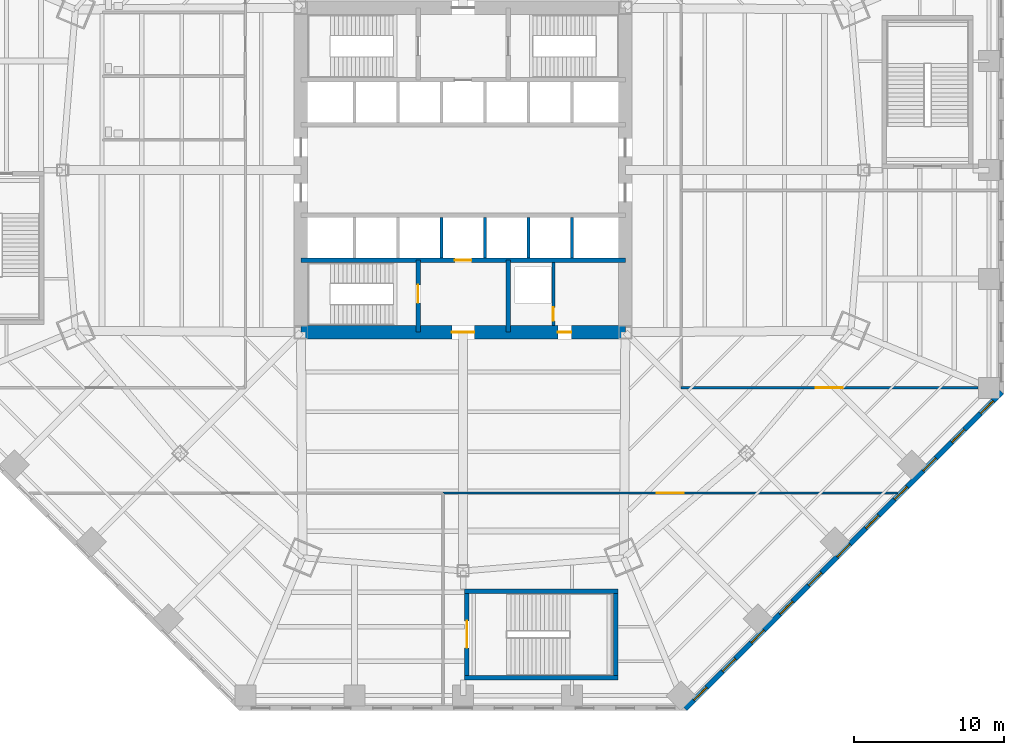
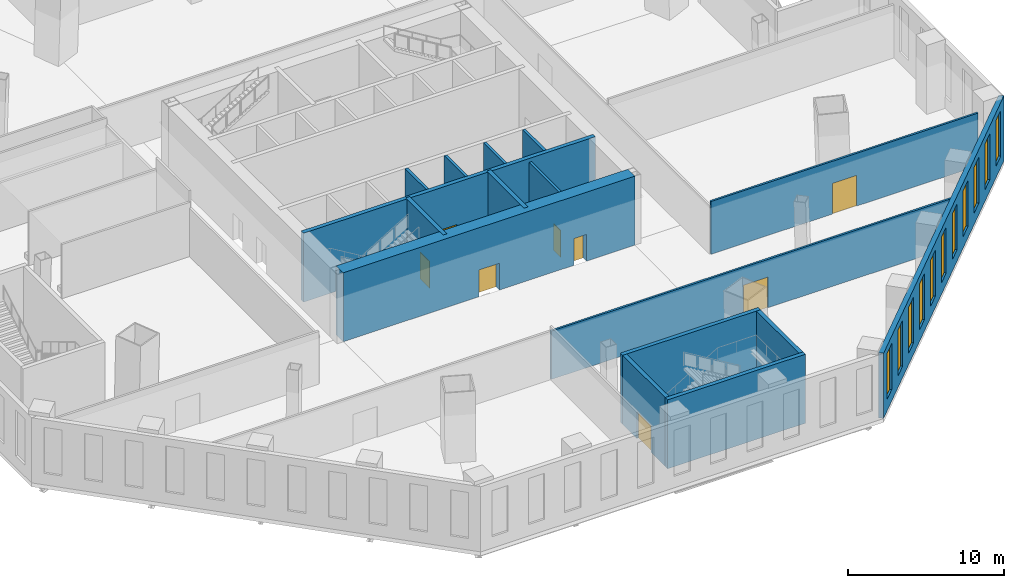
# One storey, part 9 of 18: 16 walls, 11 windows, 8 doors, 19 openings.
"""IFC4 building model written with IfcOpenShell, lengths in metres."""

from ifc_helpers import new_model, si_unit, direction, frame, frame_2d, origin, place, context, subcontext, project, spatial, rectangle, extrude, material, layer, layer_set, type_object, element, fill, save


model = new_model("IFC4")

# Units and contexts
model_context = context("Model", 3, precision=1e-05, world=origin(), true_north=direction((0.0, 1.0)))
body_context = subcontext(model_context, "Body", "Model", "MODEL_VIEW")
ifc_project = project(units=[si_unit("LENGTHUNIT", "METRE"), si_unit("AREAUNIT", "SQUARE_METRE"), si_unit("VOLUMEUNIT", "CUBIC_METRE"), si_unit("PLANEANGLEUNIT", "RADIAN"), si_unit("MASSUNIT", "GRAM", prefix="KILO")], contexts=[model_context])

# Site, building, storey
site_placement = place(None, origin())
site = spatial("IfcSite", under=ifc_project, at=site_placement, CompositionType="ELEMENT")
building_placement = place(site_placement, origin())
building = spatial("IfcBuilding", under=site, at=building_placement, Name="Mashrafa Tower", CompositionType="ELEMENT")
storey_placement = place(building_placement, frame((0.0, 0.0, 18.60009765625)))
storey = spatial("IfcBuildingStorey", under=building, at=storey_placement, Name="L03", CompositionType="ELEMENT", Elevation=18.60009765625)

# Wall, opening, door
ifc_material_1 = material(Name="Concrete masonry unit", Category="masonry")
ifc_layer_1 = layer(ifc_material_1, 0.199951171875)
ifc_layer_set_1 = layer_set([ifc_layer_1], Name="Blockwork wall 200 2 hr")
wall_type_1 = type_object("IfcWallType", Name="Blockwork wall 200 2 hr", PredefinedType="PARTITIONING", material=ifc_layer_set_1)
wall_1_placement = place(storey_placement, frame((6.0, -10.35009765625, 0.0), z_axis=(0.0, 0.0, 1.0), x_axis=(0.0, 1.0, 0.0)))
wall_1 = element("IfcWall", 1, at=wall_1_placement, inside=storey, type_object=wall_type_1, Name="Riser enclosure wall L03", PredefinedType="PARTITIONING", context=body_context, shape_type="SweptSolid", body=[
    extrude(rectangle(XDim=4.2001953125, YDim=0.199951171875, at=frame_2d((2.10009765625, 0.0))), origin(), (0.0, 0.0, 1.0), 5.099853515625),
])
opening_1_placement = place(wall_1_placement, frame((0.300048828125, 0.0, 0.0)))
opening_1 = element("IfcOpeningElement", 2, at=opening_1_placement, cuts=wall_1, Name="Opening 03.023", PredefinedType="OPENING", context=body_context, shape_type="SweptSolid", body=[
    extrude(rectangle(XDim=0.89990234375, YDim=2.10009765625, at=frame_2d((0.449951171875, 1.050048828125))), frame((0.0, 0.10986328125, 0.0), z_axis=(0.0, -1.0, 0.0), x_axis=(1.0, 0.0, 0.0)), (0.0, 0.0, 1.0), 0.219970703125),
])
ifc_material_2 = material(Name="Steel door", Category="steel")
door_type_1 = type_object("IfcDoorType", Name="Service door 900 x 2100 90 min", OperationType="USERDEFINED", PredefinedType="DOOR", material=ifc_material_2)
door_1_placement = place(opening_1_placement, origin())
door_1 = element("IfcDoor", 3, at=door_1_placement, inside=storey, type_object=door_type_1, Name="Riser door L03", OperationType="SINGLE_SWING_LEFT", OverallHeight=2.10009765625, OverallWidth=0.89990234375, PredefinedType="DOOR", context=body_context, shape_type="SweptSolid", body=[
    extrude(rectangle(XDim=0.89990234375, YDim=2.10009765625, at=frame_2d((0.449951171875, 1.050048828125))), frame((0.0, 0.02490234375, 0.0), z_axis=(0.0, -1.0, 0.0), x_axis=(1.0, 0.0, 0.0)), (0.0, 0.0, 1.0), 0.050048828125),
])
fill(opening_1, door_1)

ifc_material_3 = material(Name="Concrete C60/75", Category="concrete")
ifc_layer_2 = layer(ifc_material_3, 0.300048828125)
ifc_layer_set_2 = layer_set([ifc_layer_2], Name="Core wall 300 C60/75")
wall_type_2 = type_object("IfcWallType", Name="Core wall 300 C60/75", PredefinedType="SOLIDWALL", material=ifc_layer_set_2)
wall_2_placement = place(storey_placement, frame((-10.800048828125, -6.0, 0.0), z_axis=(0.0, 0.0, 1.0), x_axis=(1.0, 0.0, 0.0)))
wall_2 = element("IfcWall", 4, at=wall_2_placement, inside=storey, type_object=wall_type_2, Name="Core wall CB-S L03", PredefinedType="SOLIDWALL", context=body_context, shape_type="SweptSolid", body=[
    extrude(rectangle(XDim=21.60009765625, YDim=0.300048828125, at=frame_2d((10.800048828125, 0.0))), origin(), (0.0, 0.0, 1.0), 5.39990234375),
])
opening_2_placement = place(wall_2_placement, frame((10.25, 0.0, 0.0)))
opening_2 = element("IfcOpeningElement", 5, at=opening_2_placement, cuts=wall_2, Name="Opening 03.F2", PredefinedType="OPENING", context=body_context, shape_type="SweptSolid", body=[
    extrude(rectangle(XDim=1.10009765625, YDim=2.10009765625, at=frame_2d((0.550048828125, 1.050048828125))), frame((0.0, 0.159912109375, 0.0), z_axis=(0.0, -1.0, 0.0), x_axis=(1.0, 0.0, 0.0)), (0.0, 0.0, 1.0), 0.320068359375),
])
ifc_material_4 = material(Name="Steel door", Category="steel")
door_type_2 = type_object("IfcDoorType", Name="Lift landing door 1100 x 2100 90 min", OperationType="DOUBLE_DOOR_SLIDING", PredefinedType="DOOR", material=ifc_material_4)
door_2_placement = place(opening_2_placement, origin())
door_2 = element("IfcDoor", 6, at=door_2_placement, inside=storey, type_object=door_type_2, Name="Lift landing door F2 L03", OperationType="DOUBLE_DOOR_SLIDING", OverallHeight=2.10009765625, OverallWidth=1.10009765625, PredefinedType="DOOR", context=body_context, shape_type="SweptSolid", body=[
    extrude(rectangle(XDim=1.10009765625, YDim=2.10009765625, at=frame_2d((0.550048828125, 1.050048828125))), frame((0.0, 0.02490234375, 0.0), z_axis=(0.0, -1.0, 0.0), x_axis=(1.0, 0.0, 0.0)), (0.0, 0.0, 1.0), 0.050048828125),
])
fill(opening_2, door_2)

wall_3_placement = place(storey_placement, frame((-3.0, -6.0, 0.0), z_axis=(0.0, 0.0, 1.0), x_axis=(0.0, -1.0, 0.0)))
wall_3 = element("IfcWall", 7, at=wall_3_placement, inside=storey, type_object=wall_type_2, Name="Core wall CX-SW L03", PredefinedType="SOLIDWALL", context=body_context, shape_type="SweptSolid", body=[
    extrude(rectangle(XDim=4.800048828125, YDim=0.300048828125, at=frame_2d((2.39990234375, 0.0))), origin(), (0.0, 0.0, 1.0), 5.39990234375),
])
opening_3_placement = place(wall_3_placement, frame((1.64990234375, 0.0, 0.0)))
opening_3 = element("IfcOpeningElement", 8, at=opening_3_placement, cuts=wall_3, Name="Opening 03.021", PredefinedType="OPENING", context=body_context, shape_type="SweptSolid", body=[
    extrude(rectangle(XDim=1.199951171875, YDim=2.10009765625, at=frame_2d((0.60009765625, 1.050048828125))), frame((0.0, 0.159912109375, 0.0), z_axis=(0.0, -1.0, 0.0), x_axis=(1.0, 0.0, 0.0)), (0.0, 0.0, 1.0), 0.320068359375),
])
ifc_material_5 = material(Name="Steel door", Category="steel")
door_type_3 = type_object("IfcDoorType", Name="Stair door 1200 x 2100 90 min", OperationType="USERDEFINED", PredefinedType="DOOR", material=ifc_material_5)
door_3_placement = place(opening_3_placement, frame((1.199951171875, 0.0, 0.0), z_axis=(0.0, 0.0, 1.0), x_axis=(-1.0, 0.0, 0.0)))
door_3 = element("IfcDoor", 9, at=door_3_placement, inside=storey, type_object=door_type_3, Name="Stair S3 door L03", OperationType="SINGLE_SWING_RIGHT", OverallHeight=2.10009765625, OverallWidth=1.199951171875, PredefinedType="DOOR", context=body_context, shape_type="SweptSolid", body=[
    extrude(rectangle(XDim=1.199951171875, YDim=2.10009765625, at=frame_2d((0.60009765625, 1.050048828125))), frame((0.0, 0.02490234375, 0.0), z_axis=(0.0, -1.0, 0.0), x_axis=(1.0, 0.0, 0.0)), (0.0, 0.0, 1.0), 0.050048828125),
])
fill(opening_3, door_3)

# Wall
wall_4_placement = place(storey_placement, frame((3.0, -6.0, 0.0), z_axis=(0.0, 0.0, 1.0), x_axis=(0.0, -1.0, 0.0)))
element("IfcWall", 10, at=wall_4_placement, inside=storey, type_object=wall_type_2, Name="Core wall CX-SE L03", PredefinedType="SOLIDWALL", context=body_context, shape_type="SweptSolid", body=[
    extrude(rectangle(XDim=4.800048828125, YDim=0.300048828125, at=frame_2d((2.39990234375, 0.0))), origin(), (0.0, 0.0, 1.0), 5.39990234375),
])

# Wall, openings, doors
ifc_material_6 = material(Name="Concrete C60/75", Category="concrete")
ifc_layer_3 = layer(ifc_material_6, 0.89990234375)
ifc_layer_set_3 = layer_set([ifc_layer_3], Name="Core wall 900 C60/75")
wall_type_3 = type_object("IfcWallType", Name="Core wall 900 C60/75", PredefinedType="SOLIDWALL", material=ifc_layer_set_3)
wall_5_placement = place(storey_placement, frame((-10.800048828125, -10.800048828125, 0.0), z_axis=(0.0, 0.0, 1.0), x_axis=(1.0, 0.0, 0.0)))
wall_5 = element("IfcWall", 11, at=wall_5_placement, inside=storey, type_object=wall_type_3, Name="Core wall CW-S L03", PredefinedType="SOLIDWALL", context=body_context, shape_type="SweptSolid", body=[
    extrude(rectangle(XDim=21.60009765625, YDim=0.89990234375, at=frame_2d((10.800048828125, 0.0))), origin(), (0.0, 0.0, 1.0), 5.39990234375),
])
opening_4_placement = place(wall_5_placement, frame((10.050048828125, 0.0, 0.0)))
opening_4 = element("IfcOpeningElement", 12, at=opening_4_placement, cuts=wall_5, Name="Opening 03.018", PredefinedType="OPENING", context=body_context, shape_type="SweptSolid", body=[
    extrude(rectangle(XDim=1.5, YDim=2.10009765625, at=frame_2d((0.75, 1.050048828125))), frame((0.0, 0.4599609375, 0.0), z_axis=(0.0, -1.0, 0.0), x_axis=(1.0, 0.0, 0.0)), (0.0, 0.0, 1.0), 0.919921875),
])
opening_5_placement = place(wall_5_placement, frame((17.10009765625, 0.0, 0.0)))
opening_5 = element("IfcOpeningElement", 13, at=opening_5_placement, cuts=wall_5, Name="Opening 03.022", PredefinedType="OPENING", context=body_context, shape_type="SweptSolid", body=[
    extrude(rectangle(XDim=0.89990234375, YDim=2.10009765625, at=frame_2d((0.449951171875, 1.050048828125))), frame((0.0, 0.4599609375, 0.0), z_axis=(0.0, -1.0, 0.0), x_axis=(1.0, 0.0, 0.0)), (0.0, 0.0, 1.0), 0.919921875),
])
ifc_material_7 = material(Name="Steel door", Category="steel")
door_type_4 = type_object("IfcDoorType", Name="Lobby door pair 1500 x 2100 90 min", OperationType="DOUBLE_DOOR_SINGLE_SWING", PredefinedType="DOOR", material=ifc_material_7)
door_4_placement = place(opening_4_placement, origin())
door_4 = element("IfcDoor", 14, at=door_4_placement, inside=storey, type_object=door_type_4, Name="Fire-fighting lobby F2 door L03", OperationType="DOUBLE_DOOR_SINGLE_SWING", OverallHeight=2.10009765625, OverallWidth=1.5, PredefinedType="DOOR", context=body_context, shape_type="SweptSolid", body=[
    extrude(rectangle(XDim=1.5, YDim=2.10009765625, at=frame_2d((0.75, 1.050048828125))), frame((0.0, 0.02490234375, 0.0), z_axis=(0.0, -1.0, 0.0), x_axis=(1.0, 0.0, 0.0)), (0.0, 0.0, 1.0), 0.050048828125),
])
fill(opening_4, door_4)
door_5_placement = place(opening_5_placement, origin())
door_5 = element("IfcDoor", 15, at=door_5_placement, inside=storey, type_object=door_type_1, Name="Food Hall Store L03 door", OperationType="SINGLE_SWING_LEFT", OverallHeight=2.10009765625, OverallWidth=0.89990234375, PredefinedType="DOOR", context=body_context, shape_type="SweptSolid", body=[
    extrude(rectangle(XDim=0.89990234375, YDim=2.10009765625, at=frame_2d((0.449951171875, 1.050048828125))), frame((0.0, 0.02490234375, 0.0), z_axis=(0.0, -1.0, 0.0), x_axis=(1.0, 0.0, 0.0)), (0.0, 0.0, 1.0), 0.050048828125),
])
fill(opening_5, door_5)

# Wall, opening, door
ifc_material_8 = material(Name="Gypsum board on steel studs", Category="steel")
ifc_layer_4 = layer(ifc_material_8, 0.14990234375)
ifc_layer_set_4 = layer_set([ifc_layer_4], Name="Corridor partition 150 1 hr")
wall_type_4 = type_object("IfcWallType", Name="Corridor partition 150 1 hr", PredefinedType="PARTITIONING", material=ifc_layer_set_4)
wall_6_placement = place(storey_placement, frame((14.5, -14.5, 0.0), z_axis=(0.0, 0.0, 1.0), x_axis=(1.0, 0.0, 0.0)))
wall_6 = element("IfcWall", 16, at=wall_6_placement, inside=storey, type_object=wall_type_4, Name="Corridor wall L03-017", PredefinedType="PARTITIONING", context=body_context, shape_type="SweptSolid", body=[
    extrude(rectangle(XDim=19.781005859375, YDim=0.14990234375, at=frame_2d((9.890625, 0.0))), origin(), (0.0, 0.0, 1.0), 4.1298828125),
])
opening_6_placement = place(wall_6_placement, frame((8.990478515625, 0.0, 0.0)))
opening_6 = element("IfcOpeningElement", 17, at=opening_6_placement, cuts=wall_6, Name="Opening 03.010", PredefinedType="OPENING", context=body_context, shape_type="SweptSolid", body=[
    extrude(rectangle(XDim=1.800048828125, YDim=2.39990234375, at=frame_2d((0.89990234375, 1.199951171875))), frame((0.0, 0.0849609375, 0.0), z_axis=(0.0, -1.0, 0.0), x_axis=(1.0, 0.0, 0.0)), (0.0, 0.0, 1.0), 0.169921875),
])
ifc_material_9 = material(Name="Timber door", Category="wood")
door_type_5 = type_object("IfcDoorType", Name="Door pair 1800 x 2400", OperationType="DOUBLE_DOOR_SINGLE_SWING", PredefinedType="DOOR", material=ifc_material_9)
door_6_placement = place(opening_6_placement, frame((1.800048828125, 0.0, 0.0), z_axis=(0.0, 0.0, 1.0), x_axis=(-1.0, 0.0, 0.0)))
door_6 = element("IfcDoor", 18, at=door_6_placement, inside=storey, type_object=door_type_5, Name="Retail Unit 302 door", OperationType="DOUBLE_DOOR_SINGLE_SWING", OverallHeight=2.39990234375, OverallWidth=1.800048828125, PredefinedType="DOOR", context=body_context, shape_type="SweptSolid", body=[
    extrude(rectangle(XDim=1.800048828125, YDim=2.39990234375, at=frame_2d((0.89990234375, 1.199951171875))), frame((0.0, 0.02490234375, 0.0), z_axis=(0.0, -1.0, 0.0), x_axis=(1.0, 0.0, 0.0)), (0.0, 0.0, 1.0), 0.050048828125),
])
fill(opening_6, door_6)

wall_7_placement = place(storey_placement, frame((-1.35107421875, -21.5, 0.0), z_axis=(0.0, 0.0, 1.0), x_axis=(1.0, 0.0, 0.0)))
wall_7 = element("IfcWall", 19, at=wall_7_placement, inside=storey, type_object=wall_type_4, Name="Corridor wall L03-018", PredefinedType="PARTITIONING", context=body_context, shape_type="SweptSolid", body=[
    extrude(rectangle(XDim=30.267822265625, YDim=0.14990234375, at=frame_2d((15.1337890625, 0.0))), origin(), (0.0, 0.0, 1.0), 3.789794921875),
])
opening_7_placement = place(wall_7_placement, frame((14.23388671875, 0.0, 0.0)))
opening_7 = element("IfcOpeningElement", 20, at=opening_7_placement, cuts=wall_7, Name="Opening 03.011", PredefinedType="OPENING", context=body_context, shape_type="SweptSolid", body=[
    extrude(rectangle(XDim=1.800048828125, YDim=2.39990234375, at=frame_2d((0.89990234375, 1.199951171875))), frame((0.0, 0.0849609375, 0.0), z_axis=(0.0, -1.0, 0.0), x_axis=(1.0, 0.0, 0.0)), (0.0, 0.0, 1.0), 0.169921875),
])
door_7_placement = place(opening_7_placement, frame((1.800048828125, 0.0, 0.0), z_axis=(0.0, 0.0, 1.0), x_axis=(-1.0, 0.0, 0.0)))
door_7 = element("IfcDoor", 21, at=door_7_placement, inside=storey, type_object=door_type_5, Name="Retail Unit 303 door", OperationType="DOUBLE_DOOR_SINGLE_SWING", OverallHeight=2.39990234375, OverallWidth=1.800048828125, PredefinedType="DOOR", context=body_context, shape_type="SweptSolid", body=[
    extrude(rectangle(XDim=1.800048828125, YDim=2.39990234375, at=frame_2d((0.89990234375, 1.199951171875))), frame((0.0, 0.02490234375, 0.0), z_axis=(0.0, -1.0, 0.0), x_axis=(1.0, 0.0, 0.0)), (0.0, 0.0, 1.0), 0.050048828125),
])
fill(opening_7, door_7)

# Wall, openings, windows
ifc_material_10 = material(Name="Riyadh limestone cladding on blockwork", Category="masonry")
ifc_layer_5 = layer(ifc_material_10, 0.35009765625)
ifc_layer_set_5 = layer_set([ifc_layer_5], Name="Limestone-clad external wall 350")
wall_type_5 = type_object("IfcWallType", Name="Limestone-clad external wall 350", PredefinedType="SOLIDWALL", material=ifc_layer_set_5)
wall_8_placement = place(storey_placement, frame((14.787841796875, -35.876220703125, 0.0), z_axis=(0.0, 0.0, 1.0), x_axis=(0.707106781187, 0.707106781187, 0.0)))
wall_8 = element("IfcWall", 22, at=wall_8_placement, inside=storey, type_object=wall_type_5, Name="Limestone-clad external wall L03 south-east", PredefinedType="SOLIDWALL", context=body_context, shape_type="SweptSolid", body=[
    extrude(rectangle(XDim=29.823486328125, YDim=0.35009765625, at=frame_2d((14.91162109375, 0.0))), origin(), (0.0, 0.0, 1.0), 5.099853515625),
])
opening_8_placement = place(wall_8_placement, frame((0.821533203125, 0.0, 0.89990234375)))
opening_8 = element("IfcOpeningElement", 23, at=opening_8_placement, cuts=wall_8, Name="Opening W2", PredefinedType="OPENING", context=body_context, shape_type="SweptSolid", body=[
    extrude(rectangle(XDim=1.199951171875, YDim=3.60009765625, at=frame_2d((0.60009765625, 1.800048828125))), frame((0.0, 0.18505859375, 0.0), z_axis=(0.0, -1.0, 0.0), x_axis=(1.0, 0.0, 0.0)), (0.0, 0.0, 1.0), 0.3701171875),
])
opening_9_placement = place(wall_8_placement, frame((3.51953125, 0.0, 0.89990234375)))
opening_9 = element("IfcOpeningElement", 24, at=opening_9_placement, cuts=wall_8, Name="Opening W2", PredefinedType="OPENING", context=body_context, shape_type="SweptSolid", body=[
    extrude(rectangle(XDim=1.199951171875, YDim=3.60009765625, at=frame_2d((0.60009765625, 1.800048828125))), frame((0.0, 0.18505859375, 0.0), z_axis=(0.0, -1.0, 0.0), x_axis=(1.0, 0.0, 0.0)), (0.0, 0.0, 1.0), 0.3701171875),
])
opening_10_placement = place(wall_8_placement, frame((6.217529296875, 0.0, 0.89990234375)))
opening_10 = element("IfcOpeningElement", 25, at=opening_10_placement, cuts=wall_8, Name="Opening W2", PredefinedType="OPENING", context=body_context, shape_type="SweptSolid", body=[
    extrude(rectangle(XDim=1.199951171875, YDim=3.60009765625, at=frame_2d((0.60009765625, 1.800048828125))), frame((0.0, 0.18505859375, 0.0), z_axis=(0.0, -1.0, 0.0), x_axis=(1.0, 0.0, 0.0)), (0.0, 0.0, 1.0), 0.3701171875),
])
opening_11_placement = place(wall_8_placement, frame((8.91552734375, 0.0, 0.89990234375)))
opening_11 = element("IfcOpeningElement", 26, at=opening_11_placement, cuts=wall_8, Name="Opening W2", PredefinedType="OPENING", context=body_context, shape_type="SweptSolid", body=[
    extrude(rectangle(XDim=1.199951171875, YDim=3.60009765625, at=frame_2d((0.60009765625, 1.800048828125))), frame((0.0, 0.18505859375, 0.0), z_axis=(0.0, -1.0, 0.0), x_axis=(1.0, 0.0, 0.0)), (0.0, 0.0, 1.0), 0.3701171875),
])
opening_12_placement = place(wall_8_placement, frame((11.61376953125, 0.0, 0.89990234375)))
opening_12 = element("IfcOpeningElement", 27, at=opening_12_placement, cuts=wall_8, Name="Opening W2", PredefinedType="OPENING", context=body_context, shape_type="SweptSolid", body=[
    extrude(rectangle(XDim=1.199951171875, YDim=3.60009765625, at=frame_2d((0.60009765625, 1.800048828125))), frame((0.0, 0.18505859375, 0.0), z_axis=(0.0, -1.0, 0.0), x_axis=(1.0, 0.0, 0.0)), (0.0, 0.0, 1.0), 0.3701171875),
])
opening_13_placement = place(wall_8_placement, frame((14.311767578125, 0.0, 0.89990234375)))
opening_13 = element("IfcOpeningElement", 28, at=opening_13_placement, cuts=wall_8, Name="Opening W2", PredefinedType="OPENING", context=body_context, shape_type="SweptSolid", body=[
    extrude(rectangle(XDim=1.199951171875, YDim=3.60009765625, at=frame_2d((0.60009765625, 1.800048828125))), frame((0.0, 0.18505859375, 0.0), z_axis=(0.0, -1.0, 0.0), x_axis=(1.0, 0.0, 0.0)), (0.0, 0.0, 1.0), 0.3701171875),
])
opening_14_placement = place(wall_8_placement, frame((17.009765625, 0.0, 0.89990234375)))
opening_14 = element("IfcOpeningElement", 29, at=opening_14_placement, cuts=wall_8, Name="Opening W2", PredefinedType="OPENING", context=body_context, shape_type="SweptSolid", body=[
    extrude(rectangle(XDim=1.199951171875, YDim=3.60009765625, at=frame_2d((0.60009765625, 1.800048828125))), frame((0.0, 0.18505859375, 0.0), z_axis=(0.0, -1.0, 0.0), x_axis=(1.0, 0.0, 0.0)), (0.0, 0.0, 1.0), 0.3701171875),
])
opening_15_placement = place(wall_8_placement, frame((19.707763671875, 0.0, 0.89990234375)))
opening_15 = element("IfcOpeningElement", 30, at=opening_15_placement, cuts=wall_8, Name="Opening W2", PredefinedType="OPENING", context=body_context, shape_type="SweptSolid", body=[
    extrude(rectangle(XDim=1.199951171875, YDim=3.60009765625, at=frame_2d((0.60009765625, 1.800048828125))), frame((0.0, 0.18505859375, 0.0), z_axis=(0.0, -1.0, 0.0), x_axis=(1.0, 0.0, 0.0)), (0.0, 0.0, 1.0), 0.3701171875),
])
opening_16_placement = place(wall_8_placement, frame((22.40576171875, 0.0, 0.89990234375)))
opening_16 = element("IfcOpeningElement", 31, at=opening_16_placement, cuts=wall_8, Name="Opening W2", PredefinedType="OPENING", context=body_context, shape_type="SweptSolid", body=[
    extrude(rectangle(XDim=1.199951171875, YDim=3.60009765625, at=frame_2d((0.60009765625, 1.800048828125))), frame((0.0, 0.18505859375, 0.0), z_axis=(0.0, -1.0, 0.0), x_axis=(1.0, 0.0, 0.0)), (0.0, 0.0, 1.0), 0.3701171875),
])
opening_17_placement = place(wall_8_placement, frame((25.103759765625, 0.0, 0.89990234375)))
opening_17 = element("IfcOpeningElement", 32, at=opening_17_placement, cuts=wall_8, Name="Opening W2", PredefinedType="OPENING", context=body_context, shape_type="SweptSolid", body=[
    extrude(rectangle(XDim=1.199951171875, YDim=3.60009765625, at=frame_2d((0.60009765625, 1.800048828125))), frame((0.0, 0.18505859375, 0.0), z_axis=(0.0, -1.0, 0.0), x_axis=(1.0, 0.0, 0.0)), (0.0, 0.0, 1.0), 0.3701171875),
])
opening_18_placement = place(wall_8_placement, frame((27.8017578125, 0.0, 0.89990234375)))
opening_18 = element("IfcOpeningElement", 33, at=opening_18_placement, cuts=wall_8, Name="Opening W2", PredefinedType="OPENING", context=body_context, shape_type="SweptSolid", body=[
    extrude(rectangle(XDim=1.199951171875, YDim=3.60009765625, at=frame_2d((0.60009765625, 1.800048828125))), frame((0.0, 0.18505859375, 0.0), z_axis=(0.0, -1.0, 0.0), x_axis=(1.0, 0.0, 0.0)), (0.0, 0.0, 1.0), 0.3701171875),
])
ifc_material_11 = material(Name="Bronze-framed insulated glazing", Category="glass")
window_type = type_object("IfcWindowType", Name="Tall punched window 1200 x 3600", PartitioningType="DOUBLE_PANEL_HORIZONTAL", PredefinedType="WINDOW", material=ifc_material_11)
window_1_placement = place(opening_8_placement, origin())
window_1 = element("IfcWindow", 34, at=window_1_placement, inside=storey, type_object=window_type, Name="Window W2 L03 south-east bay 1", OverallHeight=3.60009765625, OverallWidth=1.199951171875, PartitioningType="SINGLE_PANEL", PredefinedType="WINDOW", context=body_context, shape_type="SweptSolid", body=[
    extrude(rectangle(XDim=1.199951171875, YDim=3.60009765625, at=frame_2d((0.60009765625, 1.800048828125))), frame((0.0, 0.030029296875, 0.0), z_axis=(0.0, -1.0, 0.0), x_axis=(1.0, 0.0, 0.0)), (0.0, 0.0, 1.0), 0.06005859375),
])
fill(opening_8, window_1)
window_2_placement = place(opening_9_placement, origin())
window_2 = element("IfcWindow", 35, at=window_2_placement, inside=storey, type_object=window_type, Name="Window W2 L03 south-east bay 2", OverallHeight=3.60009765625, OverallWidth=1.199951171875, PartitioningType="SINGLE_PANEL", PredefinedType="WINDOW", context=body_context, shape_type="SweptSolid", body=[
    extrude(rectangle(XDim=1.199951171875, YDim=3.60009765625, at=frame_2d((0.60009765625, 1.800048828125))), frame((0.0, 0.030029296875, 0.0), z_axis=(0.0, -1.0, 0.0), x_axis=(1.0, 0.0, 0.0)), (0.0, 0.0, 1.0), 0.06005859375),
])
fill(opening_9, window_2)
window_3_placement = place(opening_10_placement, origin())
window_3 = element("IfcWindow", 36, at=window_3_placement, inside=storey, type_object=window_type, Name="Window W2 L03 south-east bay 3", OverallHeight=3.60009765625, OverallWidth=1.199951171875, PartitioningType="SINGLE_PANEL", PredefinedType="WINDOW", context=body_context, shape_type="SweptSolid", body=[
    extrude(rectangle(XDim=1.199951171875, YDim=3.60009765625, at=frame_2d((0.60009765625, 1.800048828125))), frame((0.0, 0.030029296875, 0.0), z_axis=(0.0, -1.0, 0.0), x_axis=(1.0, 0.0, 0.0)), (0.0, 0.0, 1.0), 0.06005859375),
])
fill(opening_10, window_3)
window_4_placement = place(opening_11_placement, origin())
window_4 = element("IfcWindow", 37, at=window_4_placement, inside=storey, type_object=window_type, Name="Window W2 L03 south-east bay 4", OverallHeight=3.60009765625, OverallWidth=1.199951171875, PartitioningType="SINGLE_PANEL", PredefinedType="WINDOW", context=body_context, shape_type="SweptSolid", body=[
    extrude(rectangle(XDim=1.199951171875, YDim=3.60009765625, at=frame_2d((0.60009765625, 1.800048828125))), frame((0.0, 0.030029296875, 0.0), z_axis=(0.0, -1.0, 0.0), x_axis=(1.0, 0.0, 0.0)), (0.0, 0.0, 1.0), 0.06005859375),
])
fill(opening_11, window_4)
window_5_placement = place(opening_12_placement, origin())
window_5 = element("IfcWindow", 38, at=window_5_placement, inside=storey, type_object=window_type, Name="Window W2 L03 south-east bay 5", OverallHeight=3.60009765625, OverallWidth=1.199951171875, PartitioningType="SINGLE_PANEL", PredefinedType="WINDOW", context=body_context, shape_type="SweptSolid", body=[
    extrude(rectangle(XDim=1.199951171875, YDim=3.60009765625, at=frame_2d((0.60009765625, 1.800048828125))), frame((0.0, 0.030029296875, 0.0), z_axis=(0.0, -1.0, 0.0), x_axis=(1.0, 0.0, 0.0)), (0.0, 0.0, 1.0), 0.06005859375),
])
fill(opening_12, window_5)
window_6_placement = place(opening_13_placement, origin())
window_6 = element("IfcWindow", 39, at=window_6_placement, inside=storey, type_object=window_type, Name="Window W2 L03 south-east bay 6", OverallHeight=3.60009765625, OverallWidth=1.199951171875, PartitioningType="SINGLE_PANEL", PredefinedType="WINDOW", context=body_context, shape_type="SweptSolid", body=[
    extrude(rectangle(XDim=1.199951171875, YDim=3.60009765625, at=frame_2d((0.60009765625, 1.800048828125))), frame((0.0, 0.030029296875, 0.0), z_axis=(0.0, -1.0, 0.0), x_axis=(1.0, 0.0, 0.0)), (0.0, 0.0, 1.0), 0.06005859375),
])
fill(opening_13, window_6)
window_7_placement = place(opening_14_placement, origin())
window_7 = element("IfcWindow", 40, at=window_7_placement, inside=storey, type_object=window_type, Name="Window W2 L03 south-east bay 7", OverallHeight=3.60009765625, OverallWidth=1.199951171875, PartitioningType="SINGLE_PANEL", PredefinedType="WINDOW", context=body_context, shape_type="SweptSolid", body=[
    extrude(rectangle(XDim=1.199951171875, YDim=3.60009765625, at=frame_2d((0.60009765625, 1.800048828125))), frame((0.0, 0.030029296875, 0.0), z_axis=(0.0, -1.0, 0.0), x_axis=(1.0, 0.0, 0.0)), (0.0, 0.0, 1.0), 0.06005859375),
])
fill(opening_14, window_7)
window_8_placement = place(opening_15_placement, origin())
window_8 = element("IfcWindow", 41, at=window_8_placement, inside=storey, type_object=window_type, Name="Window W2 L03 south-east bay 8", OverallHeight=3.60009765625, OverallWidth=1.199951171875, PartitioningType="SINGLE_PANEL", PredefinedType="WINDOW", context=body_context, shape_type="SweptSolid", body=[
    extrude(rectangle(XDim=1.199951171875, YDim=3.60009765625, at=frame_2d((0.60009765625, 1.800048828125))), frame((0.0, 0.030029296875, 0.0), z_axis=(0.0, -1.0, 0.0), x_axis=(1.0, 0.0, 0.0)), (0.0, 0.0, 1.0), 0.06005859375),
])
fill(opening_15, window_8)
window_9_placement = place(opening_16_placement, origin())
window_9 = element("IfcWindow", 42, at=window_9_placement, inside=storey, type_object=window_type, Name="Window W2 L03 south-east bay 9", OverallHeight=3.60009765625, OverallWidth=1.199951171875, PartitioningType="SINGLE_PANEL", PredefinedType="WINDOW", context=body_context, shape_type="SweptSolid", body=[
    extrude(rectangle(XDim=1.199951171875, YDim=3.60009765625, at=frame_2d((0.60009765625, 1.800048828125))), frame((0.0, 0.030029296875, 0.0), z_axis=(0.0, -1.0, 0.0), x_axis=(1.0, 0.0, 0.0)), (0.0, 0.0, 1.0), 0.06005859375),
])
fill(opening_16, window_9)
window_10_placement = place(opening_17_placement, origin())
window_10 = element("IfcWindow", 43, at=window_10_placement, inside=storey, type_object=window_type, Name="Window W2 L03 south-east bay 10", OverallHeight=3.60009765625, OverallWidth=1.199951171875, PartitioningType="SINGLE_PANEL", PredefinedType="WINDOW", context=body_context, shape_type="SweptSolid", body=[
    extrude(rectangle(XDim=1.199951171875, YDim=3.60009765625, at=frame_2d((0.60009765625, 1.800048828125))), frame((0.0, 0.030029296875, 0.0), z_axis=(0.0, -1.0, 0.0), x_axis=(1.0, 0.0, 0.0)), (0.0, 0.0, 1.0), 0.06005859375),
])
fill(opening_17, window_10)
window_11_placement = place(opening_18_placement, origin())
window_11 = element("IfcWindow", 44, at=window_11_placement, inside=storey, type_object=window_type, Name="Window W2 L03 south-east bay 11", OverallHeight=3.60009765625, OverallWidth=1.199951171875, PartitioningType="SINGLE_PANEL", PredefinedType="WINDOW", context=body_context, shape_type="SweptSolid", body=[
    extrude(rectangle(XDim=1.199951171875, YDim=3.60009765625, at=frame_2d((0.60009765625, 1.800048828125))), frame((0.0, 0.030029296875, 0.0), z_axis=(0.0, -1.0, 0.0), x_axis=(1.0, 0.0, 0.0)), (0.0, 0.0, 1.0), 0.06005859375),
])
fill(opening_18, window_11)

# Walls
ifc_material_12 = material(Name="Gypsum shaft wall on steel studs", Category="steel")
ifc_layer_6 = layer(ifc_material_12, 0.199951171875)
ifc_layer_set_6 = layer_set([ifc_layer_6], Name="Shaft divider wall 200 2 hr")
wall_type_6 = type_object("IfcWallType", Name="Shaft divider wall 200 2 hr", PredefinedType="PARTITIONING", material=ifc_layer_set_6)
for number, where, z_axis, x_axis, name in (
    (45, (-1.449951171875, -5.85009765625, 0.0), (0.0, 0.0, 1.0), (0.0, 1.0, 0.0), "Shaft divider wall S3 L03"),
    (46, (1.449951171875, -5.85009765625, 0.0), (0.0, 0.0, 1.0), (0.0, 1.0, 0.0), "Shaft divider wall S4 L03"),
    (47, (4.35009765625, -5.85009765625, 0.0), (0.0, 0.0, 1.0), (0.0, 1.0, 0.0), "Shaft divider wall S5 L03"),
    (48, (7.25, -5.85009765625, 0.0), (0.0, 0.0, 1.0), (0.0, 1.0, 0.0), "Shaft divider wall S6 L03"),
):
    element("IfcWall", number, at=place(storey_placement, frame(where, z_axis=z_axis, x_axis=x_axis)), inside=storey, type_object=wall_type_6, Name=name, PredefinedType="PARTITIONING", context=body_context, shape_type="SweptSolid", body=[
        extrude(rectangle(XDim=2.7001953125, YDim=0.199951171875, at=frame_2d((1.35009765625, 0.0))), origin(), (0.0, 0.0, 1.0), 5.39990234375),
    ])
ifc_material_13 = material(Name="Concrete C35/45", Category="concrete")
ifc_layer_7 = layer(ifc_material_13, 0.300048828125)
ifc_layer_set_7 = layer_set([ifc_layer_7], Name="Stair core wall 300 3 hr")
wall_type_7 = type_object("IfcWallType", Name="Stair core wall 300 3 hr", PredefinedType="SOLIDWALL", material=ifc_layer_set_7)
for number, where, z_axis, x_axis, name in (
    (49, (0.10009765625, -33.800048828125, 0.0), (0.0, 0.0, 1.0), (1.0, 0.0, 0.0), "Stair P4 core wall S L03"),
    (50, (10.300048828125, -28.050048828125, 0.0), (0.0, 0.0, 1.0), (-1.0, 0.0, 0.0), "Stair P4 core wall N L03"),
):
    element("IfcWall", number, at=place(storey_placement, frame(where, z_axis=z_axis, x_axis=x_axis)), inside=storey, type_object=wall_type_7, Name=name, PredefinedType="SOLIDWALL", context=body_context, shape_type="SweptSolid", body=[
        extrude(rectangle(XDim=10.199951171875, YDim=0.300048828125, at=frame_2d((5.10009765625, 0.0))), origin(), (0.0, 0.0, 1.0), 5.39990234375),
    ])

# Wall, opening, door
wall_9_placement = place(storey_placement, frame((0.25, -28.199951171875, 0.0), z_axis=(0.0, 0.0, 1.0), x_axis=(0.0, -1.0, 0.0)))
wall_9 = element("IfcWall", 51, at=wall_9_placement, inside=storey, type_object=wall_type_7, Name="Stair P4 core wall W L03", PredefinedType="SOLIDWALL", context=body_context, shape_type="SweptSolid", body=[
    extrude(rectangle(XDim=5.449951171875, YDim=0.300048828125, at=frame_2d((2.72509765625, 0.0))), origin(), (0.0, 0.0, 1.0), 5.39990234375),
])
opening_19_placement = place(wall_9_placement, frame((1.824951171875, 0.0, 0.0)))
opening_19 = element("IfcOpeningElement", 52, at=opening_19_placement, cuts=wall_9, Name="Opening 03.027", PredefinedType="OPENING", context=body_context, shape_type="SweptSolid", body=[
    extrude(rectangle(XDim=1.800048828125, YDim=2.10009765625, at=frame_2d((0.89990234375, 1.050048828125))), frame((0.0, 0.159912109375, 0.0), z_axis=(0.0, -1.0, 0.0), x_axis=(1.0, 0.0, 0.0)), (0.0, 0.0, 1.0), 0.320068359375),
])
ifc_material_14 = material(Name="Steel door", Category="steel")
door_type_6 = type_object("IfcDoorType", Name="Stair door pair 1800 x 2100 90 min", OperationType="DOUBLE_DOOR_SINGLE_SWING", PredefinedType="DOOR", material=ifc_material_14)
door_8_placement = place(opening_19_placement, origin())
door_8 = element("IfcDoor", 53, at=door_8_placement, inside=storey, type_object=door_type_6, Name="Stair P4 door L03", OperationType="DOUBLE_DOOR_SINGLE_SWING", OverallHeight=2.10009765625, OverallWidth=1.800048828125, PredefinedType="DOOR", context=body_context, shape_type="SweptSolid", body=[
    extrude(rectangle(XDim=1.800048828125, YDim=2.10009765625, at=frame_2d((0.89990234375, 1.050048828125))), frame((0.0, 0.02490234375, 0.0), z_axis=(0.0, -1.0, 0.0), x_axis=(1.0, 0.0, 0.0)), (0.0, 0.0, 1.0), 0.050048828125),
])
fill(opening_19, door_8)

# Wall
wall_10_placement = place(storey_placement, frame((10.14990234375, -33.64990234375, 0.0), z_axis=(0.0, 0.0, 1.0), x_axis=(0.0, 1.0, 0.0)))
element("IfcWall", 54, at=wall_10_placement, inside=storey, type_object=wall_type_7, Name="Stair P4 core wall E L03", PredefinedType="SOLIDWALL", context=body_context, shape_type="SweptSolid", body=[
    extrude(rectangle(XDim=5.449951171875, YDim=0.300048828125, at=frame_2d((2.72509765625, 0.0))), origin(), (0.0, 0.0, 1.0), 5.39990234375),
])

save(model, "model.ifc")
